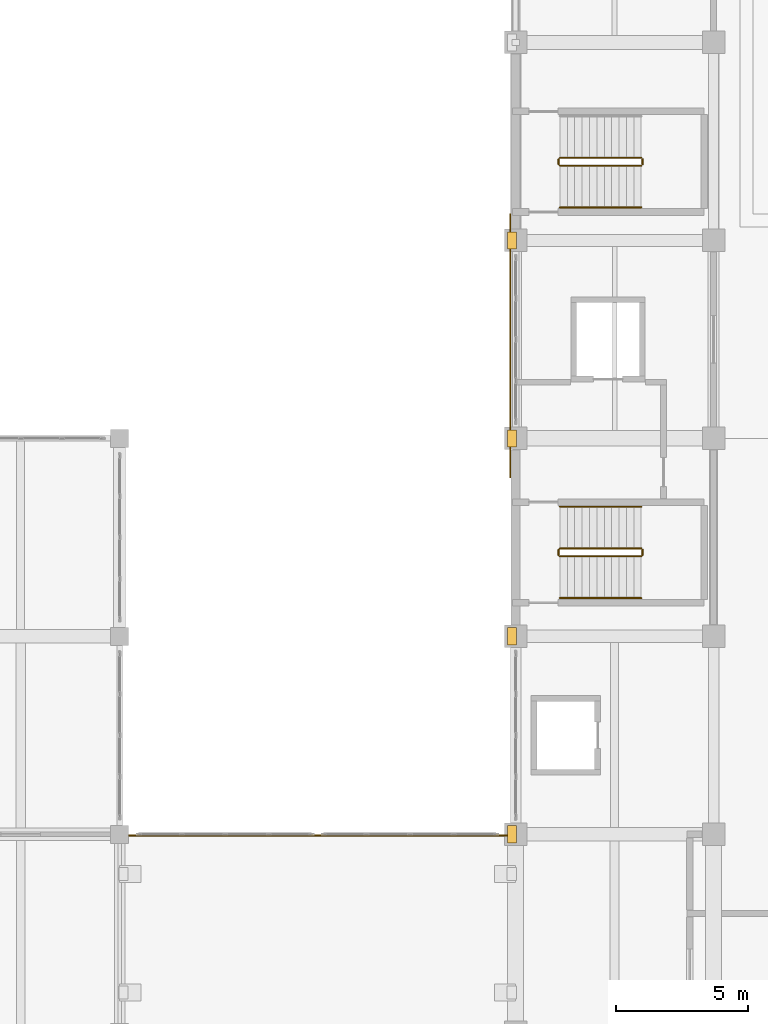
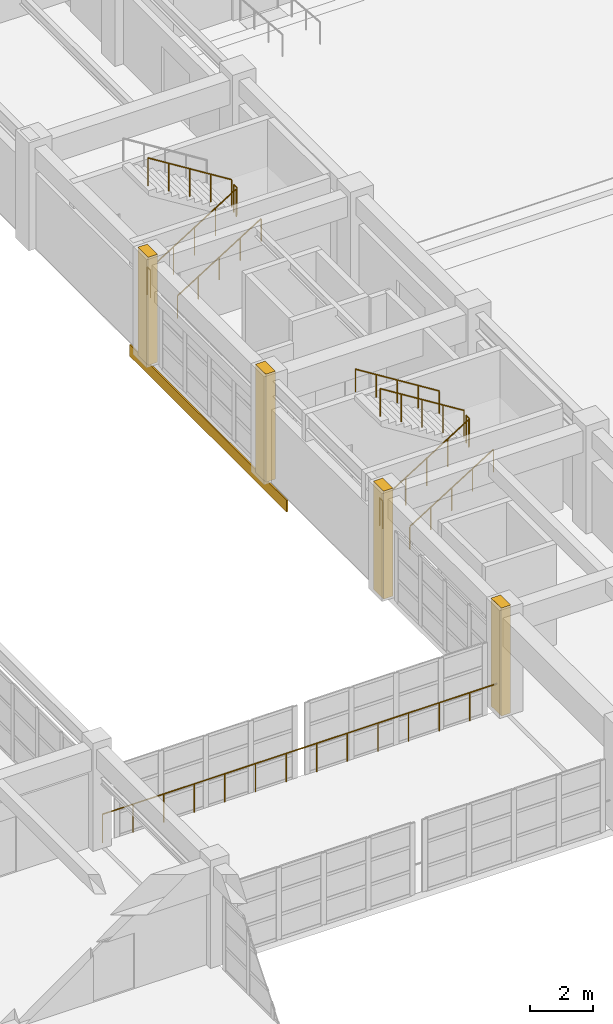
# One storey, part 121 of 132: 12 railings, 5 coverings.
"""IFC4 building model written with IfcOpenShell, lengths in metres."""

import ifcopenshell
import ifcopenshell.guid

model = None  # the IFC model being written
_history = None  # IfcOwnerHistory: only IFC2X3 demands one
_inside = {}  # id of a spatial element -> (the spatial element, [elements in it])
_under = {}  # id of a project, library or spatial element -> (it, [spatial elements below it])
_declared = {}  # id of a project -> (the project, [libraries it declares])
_typed = {}  # id of a type object -> (the type object, [elements of that type])
_made_of = {}  # id of a material, layer set ... -> (it, [elements and type objects made of it])


def new_model(schema):
    """Start an empty IFC model of exactly this schema.

    Asked for "IFC4X3", IfcOpenShell would pick the latest addendum, in which some entities
    have other attributes; the version numbers below select the first issue.
    IFC2X3 requires an IfcOwnerHistory on every rooted entity: one is made here for all.
    """
    global model, _history
    if schema == "IFC4X3":
        model = ifcopenshell.file(schema_version=(4, 3, 0, 0))
    else:
        model = ifcopenshell.file(schema=schema)
    _inside.clear()
    _under.clear()
    _declared.clear()
    _typed.clear()
    _made_of.clear()
    _history = None
    if model.schema == "IFC2X3":
        org = make("IfcOrganization", Name="unknown")
        user = make(
            "IfcPersonAndOrganization",
            ThePerson=make("IfcPerson", FamilyName="unknown"),
            TheOrganization=org,
        )
        app = make(
            "IfcApplication",
            ApplicationDeveloper=org,
            Version="unknown",
            ApplicationFullName="unknown",
            ApplicationIdentifier="unknown",
        )
        _history = make(
            "IfcOwnerHistory",
            OwningUser=user,
            OwningApplication=app,
            ChangeAction="ADDED",
            CreationDate=0,
        )
    return model


def make(cls, **values):
    """One entity of the class cls with the attributes given. An attribute that is None is left unset."""
    return model.create_entity(
        cls, **{name: value for name, value in values.items() if value is not None}
    )


def rooted(cls, **values):
    """An entity with a GlobalId (a new one), such as an element, a storey or a relation."""
    return make(cls, GlobalId=ifcopenshell.guid.new(), OwnerHistory=_history, **values)


def si_unit(unit_type, name, prefix=None):
    """IfcSIUnit, for example si_unit("LENGTHUNIT", "METRE", prefix="MILLI")."""
    return make("IfcSIUnit", UnitType=unit_type, Prefix=prefix, Name=name)


def assignment(units):
    """IfcUnitAssignment: the units of a project."""
    return None if units is None else make("IfcUnitAssignment", Units=units)


def point(xyz):
    """IfcCartesianPoint."""
    return None if xyz is None else make("IfcCartesianPoint", Coordinates=xyz)


def direction(xyz):
    """IfcDirection."""
    return None if xyz is None else make("IfcDirection", DirectionRatios=xyz)


def frame(location, z_axis=None, x_axis=None):
    """IfcAxis2Placement3D, a coordinate frame: its origin and axes. An axis left out is left unset."""
    return make(
        "IfcAxis2Placement3D",
        Location=point(location),
        Axis=direction(z_axis),
        RefDirection=direction(x_axis),
    )


def frame_2d(location, x_axis=None):
    """IfcAxis2Placement2D, a coordinate frame in the plane: its origin and x axis."""
    return make(
        "IfcAxis2Placement2D", Location=point(location), RefDirection=direction(x_axis)
    )


def origin():
    """The frame at (0, 0, 0) with its axes left unset."""
    return frame((0.0, 0.0, 0.0))


def origin_2d():
    """The frame at (0, 0) in the plane with its x axis left unset."""
    return frame_2d((0.0, 0.0))


def place(relative_to, where):
    """IfcLocalPlacement: puts the frame where relative to a parent placement (None: the world)."""
    return make(
        "IfcLocalPlacement", PlacementRelTo=relative_to, RelativePlacement=where
    )


def context(
    kind, dimensions, precision=None, world=None, true_north=None, identifier=None
):
    """IfcGeometricRepresentationContext, for example the 3D "Model" context."""
    return make(
        "IfcGeometricRepresentationContext",
        ContextIdentifier=identifier,
        ContextType=kind,
        CoordinateSpaceDimension=dimensions,
        Precision=precision,
        WorldCoordinateSystem=world,
        TrueNorth=true_north,
    )


def subcontext(parent, identifier, kind, view, scale=None):
    """IfcGeometricRepresentationSubContext, for example "Body" below "Model"."""
    return make(
        "IfcGeometricRepresentationSubContext",
        ContextIdentifier=identifier,
        ContextType=kind,
        ParentContext=parent,
        TargetScale=scale,
        TargetView=view,
    )


def project(units=None, contexts=None):
    """IfcProject with its units and contexts."""
    return rooted(
        "IfcProject",
        Name="project",
        RepresentationContexts=contexts,
        UnitsInContext=assignment(units),
    )


def spatial(cls, under=None, at=None, **own):
    """A site, building, storey or space (cls), placed at a placement, below another one or the project."""
    s = rooted(cls, ObjectPlacement=at, **own)
    if under is not None:
        _under.setdefault(under.id(), (under, []))[1].append(s)
    return s


def profile(cls, at=None, kind="AREA", **sizes):
    """A parametric profile (cls). Its sizes go by their IFC names, for example OverallWidth=200.0."""
    return make(cls, ProfileType=kind, Position=at, **sizes)


def rectangle(**sizes):
    """IfcRectangleProfileDef."""
    return profile("IfcRectangleProfileDef", **sizes)


def circle(**sizes):
    """IfcCircleProfileDef."""
    return profile("IfcCircleProfileDef", **sizes)


def extrude(swept, where, along, depth):
    """IfcExtrudedAreaSolid: the profile swept, set in the frame where, extruded along a direction by depth."""
    return make(
        "IfcExtrudedAreaSolid",
        SweptArea=swept,
        Position=where,
        ExtrudedDirection=direction(along),
        Depth=depth,
    )


def shape(context_of_items, identifier, shape_type, items):
    """IfcShapeRepresentation: the items that make up one representation, for example the "Body"."""
    return make(
        "IfcShapeRepresentation",
        ContextOfItems=context_of_items,
        RepresentationIdentifier=identifier,
        RepresentationType=shape_type,
        Items=items,
    )


def material(Name=None, Category=None):
    """IfcMaterial."""
    return make("IfcMaterial", Name=Name, Category=Category)


def layer(
    of_material, thickness, ventilated=None, Name=None, Category=None, Priority=None
):
    """IfcMaterialLayer: one layer of a wall or slab, of a material (None: an air gap)."""
    return make(
        "IfcMaterialLayer",
        Material=of_material,
        LayerThickness=thickness,
        IsVentilated=ventilated,
        Name=Name,
        Category=Category,
        Priority=Priority,
    )


def layer_set(layers, Name=None):
    """IfcMaterialLayerSet."""
    return make("IfcMaterialLayerSet", MaterialLayers=layers, LayerSetName=Name)


def made_of(thing, what):
    """Note that an element or type object is made of a material, layer set ...; save() writes the relation."""
    if what is not None:
        _made_of.setdefault(what.id(), (what, []))[1].append(thing)
    return thing


def type_object(cls, material=None, **own):
    """A type object (cls), such as IfcWallType, which elements share."""
    return made_of(rooted(cls, **own), material)


def element(
    cls,
    number,
    at=None,
    inside=None,
    cuts=None,
    type_object=None,
    material=None,
    context=None,
    identifier="Body",
    shape_type=None,
    held_by="IfcProductDefinitionShape",
    body=None,
    shapes=None,
    **own,
):
    """One element of the class cls, such as IfcWall. Its Tag is "e" and its number.

    at: its placement. inside: the storey or other place that contains it. cuts: it is an
    opening in that element (IfcRelVoidsElement). A single representation is given by context,
    identifier, shape_type and body (its items); several are given by shapes. held_by: the class
    of the entity that holds the representations. save() writes the other relations.
    """
    e = rooted(cls, Tag="e%d" % number, ObjectPlacement=at, **own)
    if body is not None:
        shapes = [shape(context, identifier, shape_type, body)]
    if shapes is not None:
        e.Representation = make(held_by, Representations=shapes)
    if inside is not None:
        _inside.setdefault(inside.id(), (inside, []))[1].append(e)
    if cuts is not None:
        rooted(
            "IfcRelVoidsElement", RelatingBuildingElement=cuts, RelatedOpeningElement=e
        )
    if type_object is not None:
        _typed.setdefault(type_object.id(), (type_object, []))[1].append(e)
    return made_of(e, material)


def aggregate(whole, parts):
    """IfcRelAggregates: a whole, such as a stair, and the parts it consists of."""
    return rooted("IfcRelAggregates", RelatingObject=whole, RelatedObjects=parts)


def save(model, path):
    """Write the relations noted so far, then the file.

    IfcRelAggregates (storeys below a building ...), IfcRelContainedInSpatialStructure (elements
    in a storey), IfcRelDefinesByType, IfcRelAssociatesMaterial and IfcRelDeclares: one each for
    every whole, place, type object, material and project.
    """
    for whole, parts in _under.values():
        aggregate(whole, parts)
    for where, things in _inside.values():
        rooted(
            "IfcRelContainedInSpatialStructure",
            RelatedElements=things,
            RelatingStructure=where,
        )
    for kind, things in _typed.values():
        rooted("IfcRelDefinesByType", RelatedObjects=things, RelatingType=kind)
    for what, things in _made_of.values():
        rooted("IfcRelAssociatesMaterial", RelatedObjects=things, RelatingMaterial=what)
    for by, libraries in _declared.values():
        rooted("IfcRelDeclares", RelatingContext=by, RelatedDefinitions=libraries)
    model.write(path)


model = new_model("IFC4")

# Units and contexts
model_context = context("Model", 3, precision=1e-05, world=origin(), true_north=direction((0.0, 1.0)))
body_context = subcontext(model_context, "Body", "Model", "MODEL_VIEW")
ifc_project = project(units=[si_unit("LENGTHUNIT", "METRE"), si_unit("AREAUNIT", "SQUARE_METRE"), si_unit("VOLUMEUNIT", "CUBIC_METRE"), si_unit("PLANEANGLEUNIT", "RADIAN"), si_unit("MASSUNIT", "GRAM", prefix="KILO")], contexts=[model_context])

# Site, building, storey
site_placement = place(None, origin())
site = spatial("IfcSite", under=ifc_project, at=site_placement, CompositionType="ELEMENT")
building_placement = place(site_placement, origin())
building = spatial("IfcBuilding", under=site, at=building_placement, Name="Qasida Concert Hall", CompositionType="ELEMENT")
storey_placement = place(building_placement, frame((0.0, 0.0, 4.800048828125)))
storey = spatial("IfcBuildingStorey", under=building, at=storey_placement, Name="L01", CompositionType="ELEMENT", Elevation=4.800048828125)

# Coverings
ifc_material_1 = material(Name="Glazed Levantine geometric terracotta spandrel relief", Category="masonry")
ifc_layer_1 = layer(ifc_material_1, 0.050048828125, Name="Glazed Levantine geometric terracotta spandrel relief")
ifc_layer_set_1 = layer_set([ifc_layer_1], Name="Glazed Levantine geometric terracotta spandrel relief")
covering_type_1 = type_object("IfcCoveringType", Name="CV-CL-1", PredefinedType="CLADDING", material=ifc_layer_set_1)
covering_placement = place(storey_placement, frame((52.300048828125, 56.0, -0.47509765625), z_axis=(0.0, 0.0, 1.0), x_axis=(1.0, 0.0, 0.0)))
element("IfcCovering", 1, at=covering_placement, inside=storey, type_object=covering_type_1, Name="L01 terracotta spandrel frieze W01", PredefinedType="CLADDING", context=body_context, shape_type="SweptSolid", body=[
    extrude(rectangle(XDim=0.050048828125, YDim=10.0, at=origin_2d()), origin(), (0.0, 0.0, 1.0), 0.449951171875),
])
ifc_material_2 = material(Name="Projecting fluted Lebanese limestone Art Deco pilaster", Category="masonry")
ifc_layer_2 = layer(ifc_material_2, 0.35009765625, Name="Projecting fluted Lebanese limestone Art Deco pilaster")
ifc_layer_set_2 = layer_set([ifc_layer_2], Name="Projecting fluted Lebanese limestone Art Deco pilaster")
covering_type_2 = type_object("IfcCoveringType", Name="CV-PIL-650", PredefinedType="CLADDING", material=ifc_layer_set_2)
for number, where, z_axis, x_axis, name in (
    (2, (52.364990234375, 37.5, 0.0), (0.0, 0.0, 1.0), (1.0, 0.0, 0.0), "L01 fluted limestone pilaster 0016"),
    (3, (52.364990234375, 45.0, 0.0), (0.0, 0.0, 1.0), (1.0, 0.0, 0.0), "L01 fluted limestone pilaster 0030"),
    (4, (52.364990234375, 52.5, 0.0), (0.0, 0.0, 1.0), (1.0, 0.0, 0.0), "L01 fluted limestone pilaster 0044"),
    (5, (52.364990234375, 60.0, 0.0), (0.0, 0.0, 1.0), (1.0, 0.0, 0.0), "L01 fluted limestone pilaster 0058"),
):
    element("IfcCovering", number, at=place(storey_placement, frame(where, z_axis=z_axis, x_axis=x_axis)), inside=storey, type_object=covering_type_2, Name=name, PredefinedType="CLADDING", context=body_context, shape_type="SweptSolid", body=[
        extrude(rectangle(XDim=0.35009765625, YDim=0.64990234375, at=origin_2d()), origin(), (0.0, 0.0, 1.0), 4.199951171875),
    ])

# Railings
ifc_material_3 = material(Name="Patinated architectural bronze and laminated glass infill", Category="glass")
ifc_layer_3 = layer(ifc_material_3, 0.080078125, Name="Patinated architectural bronze and laminated glass infill")
ifc_layer_set_3 = layer_set([ifc_layer_3], Name="Patinated architectural bronze and laminated glass infill")
railing_type_1 = type_object("IfcRailingType", Name="RL-GRD-1100", PredefinedType="GUARDRAIL", material=ifc_layer_set_3)
railing_1_placement = place(storey_placement, frame((37.679931640625, 37.449951171875, 0.0)))
element("IfcRailing", 6, at=railing_1_placement, inside=storey, type_object=railing_type_1, Name="L01 Link bridge north guard 0025", PredefinedType="GUARDRAIL", context=body_context, shape_type="SweptSolid", body=[
    extrude(circle(Radius=0.02392578125, at=origin_2d()), frame((0.0, 0.0, 1.09619140625), z_axis=(1.0, 0.0, 0.0), x_axis=(0.0, 1.0, 0.0)), (0.0, 0.0, 1.0), 14.64013671875),
    extrude(circle(Radius=0.02099609375, at=origin_2d()), origin(), (0.0, 0.0, 1.0), 1.072021484375),
    extrude(circle(Radius=0.02099609375, at=origin_2d()), frame((1.126220703125, 0.0, 0.0)), (0.0, 0.0, 1.0), 1.072021484375),
    extrude(circle(Radius=0.02099609375, at=origin_2d()), frame((2.25244140625, 0.0, 0.0)), (0.0, 0.0, 1.0), 1.072021484375),
    extrude(circle(Radius=0.02099609375, at=origin_2d()), frame((3.37841796875, 0.0, 0.0)), (0.0, 0.0, 1.0), 1.072021484375),
    extrude(circle(Radius=0.02099609375, at=origin_2d()), frame((4.504638671875, 0.0, 0.0)), (0.0, 0.0, 1.0), 1.072021484375),
    extrude(circle(Radius=0.02099609375, at=origin_2d()), frame((5.630859375, 0.0, 0.0)), (0.0, 0.0, 1.0), 1.072021484375),
    extrude(circle(Radius=0.02099609375, at=origin_2d()), frame((6.757080078125, 0.0, 0.0)), (0.0, 0.0, 1.0), 1.072021484375),
    extrude(circle(Radius=0.02099609375, at=origin_2d()), frame((7.883056640625, 0.0, 0.0)), (0.0, 0.0, 1.0), 1.072021484375),
    extrude(circle(Radius=0.02099609375, at=origin_2d()), frame((9.00927734375, 0.0, 0.0)), (0.0, 0.0, 1.0), 1.072021484375),
    extrude(circle(Radius=0.02099609375, at=origin_2d()), frame((10.135498046875, 0.0, 0.0)), (0.0, 0.0, 1.0), 1.072021484375),
    extrude(circle(Radius=0.02099609375, at=origin_2d()), frame((11.26171875, 0.0, 0.0)), (0.0, 0.0, 1.0), 1.072021484375),
    extrude(circle(Radius=0.02099609375, at=origin_2d()), frame((12.3876953125, 0.0, 0.0)), (0.0, 0.0, 1.0), 1.072021484375),
    extrude(circle(Radius=0.02099609375, at=origin_2d()), frame((13.513916015625, 0.0, 0.0)), (0.0, 0.0, 1.0), 1.072021484375),
    extrude(circle(Radius=0.02099609375, at=origin_2d()), frame((14.64013671875, 0.0, 0.0)), (0.0, 0.0, 1.0), 1.072021484375),
])
railing_2_placement = place(storey_placement, frame((54.179931640625, 48.030029296875, 0.175048828125)))
element("IfcRailing", 7, at=railing_2_placement, inside=storey, type_object=railing_type_1, Name="L01 ST-01 stair guard 1", PredefinedType="GUARDRAIL", context=body_context, shape_type="SweptSolid", body=[
    extrude(circle(Radius=0.02392578125, at=origin_2d()), frame((0.0, 0.0, 1.076171875), z_axis=(0.848028513186, 0.0, 0.529950602248), x_axis=(0.0, 1.0, 0.0)), (0.0, 0.0, 1.0), 3.632080078125),
    extrude(circle(Radius=0.02099609375, at=origin_2d()), origin(), (0.0, 0.0, 1.0), 1.052001953125),
    extrude(circle(Radius=0.02099609375, at=origin_2d()), frame((0.77001953125, 0.0, 0.481201171875)), (0.0, 0.0, 1.0), 1.052001953125),
    extrude(circle(Radius=0.02099609375, at=origin_2d()), frame((1.5400390625, 0.0, 0.96240234375)), (0.0, 0.0, 1.0), 1.052001953125),
    extrude(circle(Radius=0.02099609375, at=origin_2d()), frame((2.31005859375, 0.0, 1.443603515625)), (0.0, 0.0, 1.0), 1.052001953125),
    extrude(circle(Radius=0.02099609375, at=origin_2d()), frame((3.080078125, 0.0, 1.9248046875)), (0.0, 0.0, 1.0), 1.052001953125),
])
railing_3_placement = place(storey_placement, frame((57.31005859375, 48.080078125, 2.099853515625)))
element("IfcRailing", 8, at=railing_3_placement, inside=storey, type_object=railing_type_1, Name="L01 ST-01 stair guard 2", PredefinedType="GUARDRAIL", context=body_context, shape_type="SweptSolid", body=[
    extrude(circle(Radius=0.02392578125, at=origin_2d()), frame((0.0, 0.0, 1.076171875), z_axis=(0.0, 1.0, 0.0), x_axis=(-1.0, 0.0, 0.0)), (0.0, 0.0, 1.0), 0.199951171875),
    extrude(circle(Radius=0.02099609375, at=origin_2d()), origin(), (0.0, 0.0, 1.0), 1.052001953125),
    extrude(circle(Radius=0.02099609375, at=origin_2d()), frame((0.0, 0.199951171875, 0.0)), (0.0, 0.0, 1.0), 1.052001953125),
])
railing_4_placement = place(storey_placement, frame((57.260009765625, 48.330078125, 2.27490234375)))
element("IfcRailing", 9, at=railing_4_placement, inside=storey, type_object=railing_type_1, Name="L01 ST-01 stair guard 3", PredefinedType="GUARDRAIL", context=body_context, shape_type="SweptSolid", body=[
    extrude(circle(Radius=0.02392578125, at=origin_2d()), frame((0.0, 0.0, 1.076171875), z_axis=(-0.847998304005, 0.0, 0.529998940003), x_axis=(0.0, -1.0, 0.0)), (0.0, 0.0, 1.0), 3.632080078125),
    extrude(circle(Radius=0.02099609375, at=origin_2d()), origin(), (0.0, 0.0, 1.0), 1.052001953125),
    extrude(circle(Radius=0.02099609375, at=origin_2d()), frame((-0.77001953125, 0.0, 0.481201171875)), (0.0, 0.0, 1.0), 1.052001953125),
    extrude(circle(Radius=0.02099609375, at=origin_2d()), frame((-1.5400390625, 0.0, 0.96240234375)), (0.0, 0.0, 1.0), 1.052001953125),
    extrude(circle(Radius=0.02099609375, at=origin_2d()), frame((-2.31005859375, 0.0, 1.44384765625)), (0.0, 0.0, 1.0), 1.052001953125),
    extrude(circle(Radius=0.02099609375, at=origin_2d()), frame((-3.080078125, 0.0, 1.925048828125)), (0.0, 0.0, 1.0), 1.052001953125),
])
railing_5_placement = place(storey_placement, frame((54.1298828125, 48.080078125, 0.0)))
element("IfcRailing", 10, at=railing_5_placement, inside=storey, type_object=railing_type_1, Name="L01 ST-01 stair guard 4", PredefinedType="GUARDRAIL", context=body_context, shape_type="SweptSolid", body=[
    extrude(circle(Radius=0.02392578125, at=origin_2d()), frame((0.0, 0.0, 1.076171875), z_axis=(0.0, 1.0, 0.0), x_axis=(-1.0, 0.0, 0.0)), (0.0, 0.0, 1.0), 0.199951171875),
    extrude(circle(Radius=0.02099609375, at=origin_2d()), origin(), (0.0, 0.0, 1.0), 1.052001953125),
    extrude(circle(Radius=0.02099609375, at=origin_2d()), frame((0.0, 0.199951171875, 0.0)), (0.0, 0.0, 1.0), 1.052001953125),
])
railing_6_placement = place(storey_placement, frame((54.179931640625, 62.830078125, 0.175048828125)))
element("IfcRailing", 11, at=railing_6_placement, inside=storey, type_object=railing_type_1, Name="L01 ST-11 stair guard 1", PredefinedType="GUARDRAIL", context=body_context, shape_type="SweptSolid", body=[
    extrude(circle(Radius=0.02392578125, at=origin_2d()), frame((0.0, 0.0, 1.076171875), z_axis=(0.848028513186, 0.0, 0.529950602248), x_axis=(0.0, 1.0, 0.0)), (0.0, 0.0, 1.0), 3.632080078125),
    extrude(circle(Radius=0.02099609375, at=origin_2d()), origin(), (0.0, 0.0, 1.0), 1.052001953125),
    extrude(circle(Radius=0.02099609375, at=origin_2d()), frame((0.77001953125, 0.0, 0.481201171875)), (0.0, 0.0, 1.0), 1.052001953125),
    extrude(circle(Radius=0.02099609375, at=origin_2d()), frame((1.5400390625, 0.0, 0.96240234375)), (0.0, 0.0, 1.0), 1.052001953125),
    extrude(circle(Radius=0.02099609375, at=origin_2d()), frame((2.31005859375, 0.0, 1.443603515625)), (0.0, 0.0, 1.0), 1.052001953125),
    extrude(circle(Radius=0.02099609375, at=origin_2d()), frame((3.080078125, 0.0, 1.9248046875)), (0.0, 0.0, 1.0), 1.052001953125),
])
railing_7_placement = place(storey_placement, frame((57.31005859375, 62.8798828125, 2.099853515625)))
element("IfcRailing", 12, at=railing_7_placement, inside=storey, type_object=railing_type_1, Name="L01 ST-11 stair guard 2", PredefinedType="GUARDRAIL", context=body_context, shape_type="SweptSolid", body=[
    extrude(circle(Radius=0.02392578125, at=origin_2d()), frame((0.0, 0.0, 1.076171875), z_axis=(0.0, 1.0, 0.0), x_axis=(-1.0, 0.0, 0.0)), (0.0, 0.0, 1.0), 0.2001953125),
    extrude(circle(Radius=0.02099609375, at=origin_2d()), origin(), (0.0, 0.0, 1.0), 1.052001953125),
    extrude(circle(Radius=0.02099609375, at=origin_2d()), frame((0.0, 0.2001953125, 0.0)), (0.0, 0.0, 1.0), 1.052001953125),
])
railing_8_placement = place(storey_placement, frame((57.260009765625, 63.1298828125, 2.27490234375)))
element("IfcRailing", 13, at=railing_8_placement, inside=storey, type_object=railing_type_1, Name="L01 ST-11 stair guard 3", PredefinedType="GUARDRAIL", context=body_context, shape_type="SweptSolid", body=[
    extrude(circle(Radius=0.02392578125, at=origin_2d()), frame((0.0, 0.0, 1.076171875), z_axis=(-0.847998304005, 0.0, 0.529998940003), x_axis=(0.0, -1.0, 0.0)), (0.0, 0.0, 1.0), 3.632080078125),
    extrude(circle(Radius=0.02099609375, at=origin_2d()), origin(), (0.0, 0.0, 1.0), 1.052001953125),
    extrude(circle(Radius=0.02099609375, at=origin_2d()), frame((-0.77001953125, 0.0, 0.481201171875)), (0.0, 0.0, 1.0), 1.052001953125),
    extrude(circle(Radius=0.02099609375, at=origin_2d()), frame((-1.5400390625, 0.0, 0.96240234375)), (0.0, 0.0, 1.0), 1.052001953125),
    extrude(circle(Radius=0.02099609375, at=origin_2d()), frame((-2.31005859375, 0.0, 1.44384765625)), (0.0, 0.0, 1.0), 1.052001953125),
    extrude(circle(Radius=0.02099609375, at=origin_2d()), frame((-3.080078125, 0.0, 1.925048828125)), (0.0, 0.0, 1.0), 1.052001953125),
])
railing_9_placement = place(storey_placement, frame((54.1298828125, 62.8798828125, 0.0)))
element("IfcRailing", 14, at=railing_9_placement, inside=storey, type_object=railing_type_1, Name="L01 ST-11 stair guard 4", PredefinedType="GUARDRAIL", context=body_context, shape_type="SweptSolid", body=[
    extrude(circle(Radius=0.02392578125, at=origin_2d()), frame((0.0, 0.0, 1.076171875), z_axis=(0.0, 1.0, 0.0), x_axis=(-1.0, 0.0, 0.0)), (0.0, 0.0, 1.0), 0.2001953125),
    extrude(circle(Radius=0.02099609375, at=origin_2d()), origin(), (0.0, 0.0, 1.0), 1.052001953125),
    extrude(circle(Radius=0.02099609375, at=origin_2d()), frame((0.0, 0.2001953125, 0.0)), (0.0, 0.0, 1.0), 1.052001953125),
])
ifc_material_4 = material(Name="Patinated tubular architectural bronze", Category="steel")
ifc_layer_4 = layer(ifc_material_4, 0.050048828125, Name="Patinated tubular architectural bronze")
ifc_layer_set_4 = layer_set([ifc_layer_4], Name="Patinated tubular architectural bronze")
railing_type_2 = type_object("IfcRailingType", Name="RL-HND-900", PredefinedType="HANDRAIL", material=ifc_layer_set_4)
railing_10_placement = place(storey_placement, frame((54.179931640625, 46.449951171875, 0.175048828125)))
element("IfcRailing", 15, at=railing_10_placement, inside=storey, type_object=railing_type_2, Name="L01 ST-01 stair handrail 1", PredefinedType="HANDRAIL", context=body_context, shape_type="SweptSolid", body=[
    extrude(circle(Radius=0.02392578125, at=origin_2d()), frame((0.0, 0.0, 0.8759765625), z_axis=(0.848028513186, 0.0, 0.529950602248), x_axis=(0.0, 1.0, 0.0)), (0.0, 0.0, 1.0), 3.632080078125),
    extrude(circle(Radius=0.02099609375, at=origin_2d()), origin(), (0.0, 0.0, 1.0), 0.851806640625),
    extrude(circle(Radius=0.02099609375, at=origin_2d()), frame((0.77001953125, 0.0, 0.481201171875)), (0.0, 0.0, 1.0), 0.851806640625),
    extrude(circle(Radius=0.02099609375, at=origin_2d()), frame((1.5400390625, 0.0, 0.96240234375)), (0.0, 0.0, 1.0), 0.851806640625),
    extrude(circle(Radius=0.02099609375, at=origin_2d()), frame((2.31005859375, 0.0, 1.443603515625)), (0.0, 0.0, 1.0), 0.851806640625),
    extrude(circle(Radius=0.02099609375, at=origin_2d()), frame((3.080078125, 0.0, 1.9248046875)), (0.0, 0.0, 1.0), 0.851806640625),
])
railing_11_placement = place(storey_placement, frame((57.260009765625, 49.909912109375, 2.27490234375)))
element("IfcRailing", 16, at=railing_11_placement, inside=storey, type_object=railing_type_2, Name="L01 ST-01 stair handrail 2", PredefinedType="HANDRAIL", context=body_context, shape_type="SweptSolid", body=[
    extrude(circle(Radius=0.02392578125, at=origin_2d()), frame((0.0, 0.0, 0.8759765625), z_axis=(-0.847998304005, 0.0, 0.529998940003), x_axis=(0.0, -1.0, 0.0)), (0.0, 0.0, 1.0), 3.632080078125),
    extrude(circle(Radius=0.02099609375, at=origin_2d()), origin(), (0.0, 0.0, 1.0), 0.851806640625),
    extrude(circle(Radius=0.02099609375, at=origin_2d()), frame((-0.77001953125, 0.0, 0.481201171875)), (0.0, 0.0, 1.0), 0.851806640625),
    extrude(circle(Radius=0.02099609375, at=origin_2d()), frame((-1.5400390625, 0.0, 0.96240234375)), (0.0, 0.0, 1.0), 0.851806640625),
    extrude(circle(Radius=0.02099609375, at=origin_2d()), frame((-2.31005859375, 0.0, 1.44384765625)), (0.0, 0.0, 1.0), 0.851806640625),
    extrude(circle(Radius=0.02099609375, at=origin_2d()), frame((-3.080078125, 0.0, 1.925048828125)), (0.0, 0.0, 1.0), 0.851806640625),
])
railing_12_placement = place(storey_placement, frame((54.179931640625, 61.25, 0.175048828125)))
element("IfcRailing", 17, at=railing_12_placement, inside=storey, type_object=railing_type_2, Name="L01 ST-11 stair handrail 1", PredefinedType="HANDRAIL", context=body_context, shape_type="SweptSolid", body=[
    extrude(circle(Radius=0.02392578125, at=origin_2d()), frame((0.0, 0.0, 0.8759765625), z_axis=(0.848028513186, 0.0, 0.529950602248), x_axis=(0.0, 1.0, 0.0)), (0.0, 0.0, 1.0), 3.632080078125),
    extrude(circle(Radius=0.02099609375, at=origin_2d()), origin(), (0.0, 0.0, 1.0), 0.851806640625),
    extrude(circle(Radius=0.02099609375, at=origin_2d()), frame((0.77001953125, 0.0, 0.481201171875)), (0.0, 0.0, 1.0), 0.851806640625),
    extrude(circle(Radius=0.02099609375, at=origin_2d()), frame((1.5400390625, 0.0, 0.96240234375)), (0.0, 0.0, 1.0), 0.851806640625),
    extrude(circle(Radius=0.02099609375, at=origin_2d()), frame((2.31005859375, 0.0, 1.443603515625)), (0.0, 0.0, 1.0), 0.851806640625),
    extrude(circle(Radius=0.02099609375, at=origin_2d()), frame((3.080078125, 0.0, 1.9248046875)), (0.0, 0.0, 1.0), 0.851806640625),
])

save(model, "model.ifc")
